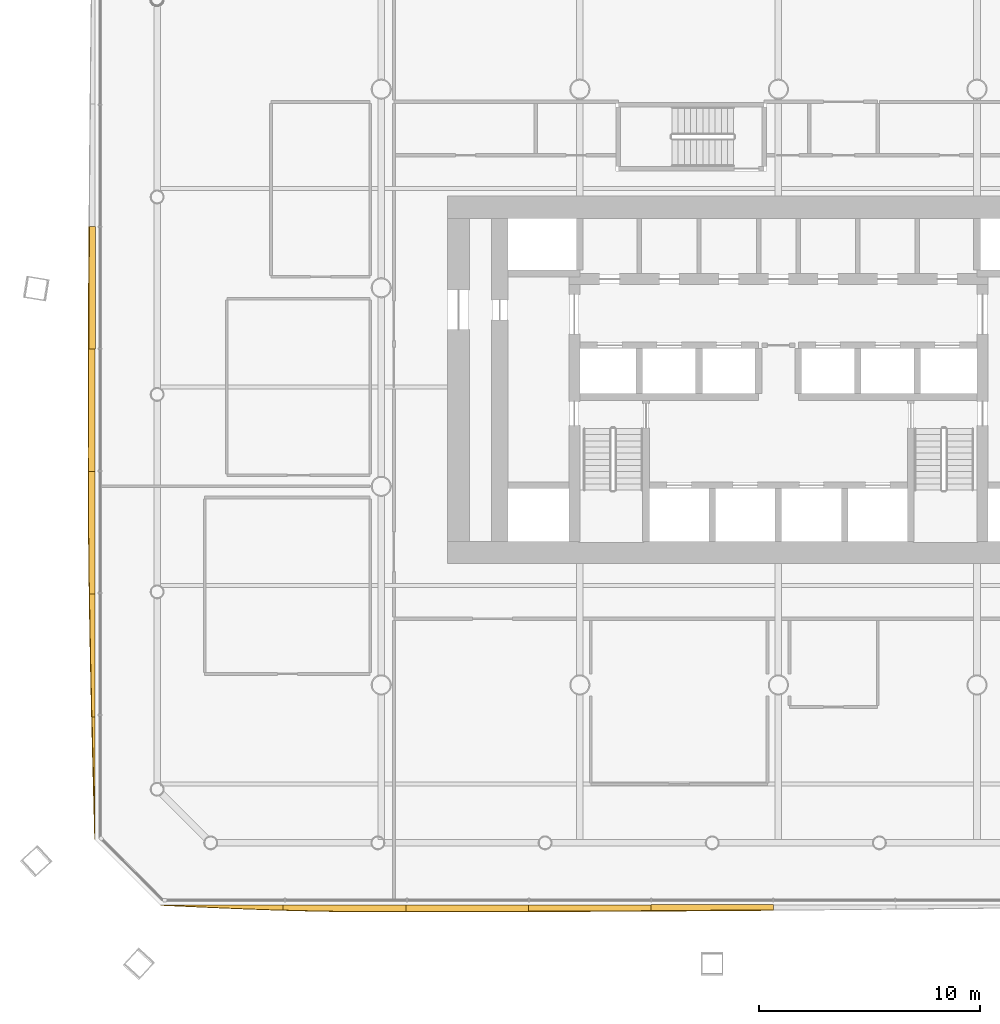
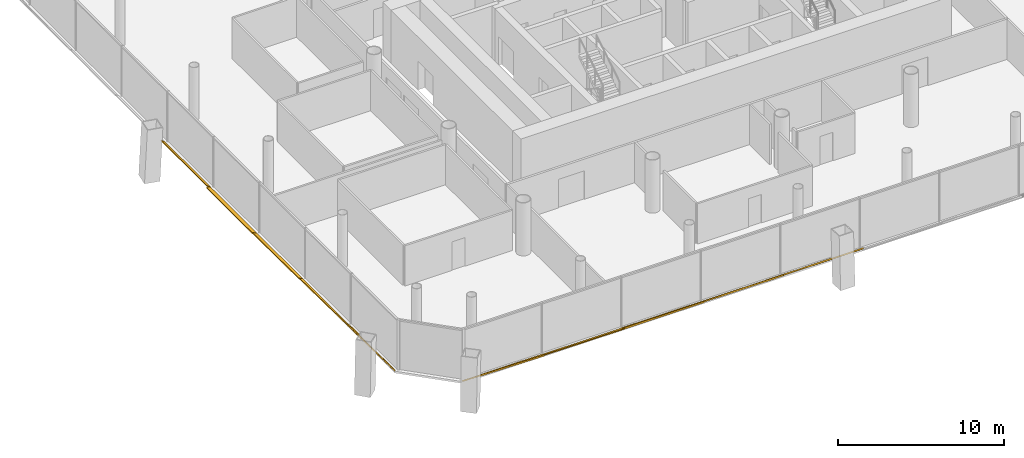
# One storey, part 19 of 23: 10 shading devices.
"""IFC4 building model written with IfcOpenShell, lengths in metres."""

import ifcopenshell
import ifcopenshell.guid

model = None  # the IFC model being written
_history = None  # IfcOwnerHistory: only IFC2X3 demands one
_inside = {}  # id of a spatial element -> (the spatial element, [elements in it])
_under = {}  # id of a project, library or spatial element -> (it, [spatial elements below it])
_declared = {}  # id of a project -> (the project, [libraries it declares])
_typed = {}  # id of a type object -> (the type object, [elements of that type])
_made_of = {}  # id of a material, layer set ... -> (it, [elements and type objects made of it])


def new_model(schema):
    """Start an empty IFC model of exactly this schema.

    Asked for "IFC4X3", IfcOpenShell would pick the latest addendum, in which some entities
    have other attributes; the version numbers below select the first issue.
    IFC2X3 requires an IfcOwnerHistory on every rooted entity: one is made here for all.
    """
    global model, _history
    if schema == "IFC4X3":
        model = ifcopenshell.file(schema_version=(4, 3, 0, 0))
    else:
        model = ifcopenshell.file(schema=schema)
    _inside.clear()
    _under.clear()
    _declared.clear()
    _typed.clear()
    _made_of.clear()
    _history = None
    if model.schema == "IFC2X3":
        org = make("IfcOrganization", Name="unknown")
        user = make(
            "IfcPersonAndOrganization",
            ThePerson=make("IfcPerson", FamilyName="unknown"),
            TheOrganization=org,
        )
        app = make(
            "IfcApplication",
            ApplicationDeveloper=org,
            Version="unknown",
            ApplicationFullName="unknown",
            ApplicationIdentifier="unknown",
        )
        _history = make(
            "IfcOwnerHistory",
            OwningUser=user,
            OwningApplication=app,
            ChangeAction="ADDED",
            CreationDate=0,
        )
    return model


def make(cls, **values):
    """One entity of the class cls with the attributes given. An attribute that is None is left unset."""
    return model.create_entity(
        cls, **{name: value for name, value in values.items() if value is not None}
    )


def rooted(cls, **values):
    """An entity with a GlobalId (a new one), such as an element, a storey or a relation."""
    return make(cls, GlobalId=ifcopenshell.guid.new(), OwnerHistory=_history, **values)


def si_unit(unit_type, name, prefix=None):
    """IfcSIUnit, for example si_unit("LENGTHUNIT", "METRE", prefix="MILLI")."""
    return make("IfcSIUnit", UnitType=unit_type, Prefix=prefix, Name=name)


def assignment(units):
    """IfcUnitAssignment: the units of a project."""
    return None if units is None else make("IfcUnitAssignment", Units=units)


def point(xyz):
    """IfcCartesianPoint."""
    return None if xyz is None else make("IfcCartesianPoint", Coordinates=xyz)


def direction(xyz):
    """IfcDirection."""
    return None if xyz is None else make("IfcDirection", DirectionRatios=xyz)


def frame(location, z_axis=None, x_axis=None):
    """IfcAxis2Placement3D, a coordinate frame: its origin and axes. An axis left out is left unset."""
    return make(
        "IfcAxis2Placement3D",
        Location=point(location),
        Axis=direction(z_axis),
        RefDirection=direction(x_axis),
    )


def origin():
    """The frame at (0, 0, 0) with its axes left unset."""
    return frame((0.0, 0.0, 0.0))


def place(relative_to, where):
    """IfcLocalPlacement: puts the frame where relative to a parent placement (None: the world)."""
    return make(
        "IfcLocalPlacement", PlacementRelTo=relative_to, RelativePlacement=where
    )


def context(
    kind, dimensions, precision=None, world=None, true_north=None, identifier=None
):
    """IfcGeometricRepresentationContext, for example the 3D "Model" context."""
    return make(
        "IfcGeometricRepresentationContext",
        ContextIdentifier=identifier,
        ContextType=kind,
        CoordinateSpaceDimension=dimensions,
        Precision=precision,
        WorldCoordinateSystem=world,
        TrueNorth=true_north,
    )


def subcontext(parent, identifier, kind, view, scale=None):
    """IfcGeometricRepresentationSubContext, for example "Body" below "Model"."""
    return make(
        "IfcGeometricRepresentationSubContext",
        ContextIdentifier=identifier,
        ContextType=kind,
        ParentContext=parent,
        TargetScale=scale,
        TargetView=view,
    )


def project(units=None, contexts=None):
    """IfcProject with its units and contexts."""
    return rooted(
        "IfcProject",
        Name="project",
        RepresentationContexts=contexts,
        UnitsInContext=assignment(units),
    )


def spatial(cls, under=None, at=None, **own):
    """A site, building, storey or space (cls), placed at a placement, below another one or the project."""
    s = rooted(cls, ObjectPlacement=at, **own)
    if under is not None:
        _under.setdefault(under.id(), (under, []))[1].append(s)
    return s


def polyline(points):
    """IfcPolyline through the points."""
    return make("IfcPolyline", Points=[point(p) for p in points])


def outline(outer, holes=None, kind="AREA"):
    """IfcArbitraryClosedProfileDef: a profile drawn as a closed curve; with holes, ...WithVoids."""
    if holes is None:
        return make("IfcArbitraryClosedProfileDef", ProfileType=kind, OuterCurve=outer)
    return make(
        "IfcArbitraryProfileDefWithVoids",
        ProfileType=kind,
        OuterCurve=outer,
        InnerCurves=holes,
    )


def extrude(swept, where, along, depth):
    """IfcExtrudedAreaSolid: the profile swept, set in the frame where, extruded along a direction by depth."""
    return make(
        "IfcExtrudedAreaSolid",
        SweptArea=swept,
        Position=where,
        ExtrudedDirection=direction(along),
        Depth=depth,
    )


def shape(context_of_items, identifier, shape_type, items):
    """IfcShapeRepresentation: the items that make up one representation, for example the "Body"."""
    return make(
        "IfcShapeRepresentation",
        ContextOfItems=context_of_items,
        RepresentationIdentifier=identifier,
        RepresentationType=shape_type,
        Items=items,
    )


def material(Name=None, Category=None):
    """IfcMaterial."""
    return make("IfcMaterial", Name=Name, Category=Category)


def layer(
    of_material, thickness, ventilated=None, Name=None, Category=None, Priority=None
):
    """IfcMaterialLayer: one layer of a wall or slab, of a material (None: an air gap)."""
    return make(
        "IfcMaterialLayer",
        Material=of_material,
        LayerThickness=thickness,
        IsVentilated=ventilated,
        Name=Name,
        Category=Category,
        Priority=Priority,
    )


def layer_set(layers, Name=None):
    """IfcMaterialLayerSet."""
    return make("IfcMaterialLayerSet", MaterialLayers=layers, LayerSetName=Name)


def made_of(thing, what):
    """Note that an element or type object is made of a material, layer set ...; save() writes the relation."""
    if what is not None:
        _made_of.setdefault(what.id(), (what, []))[1].append(thing)
    return thing


def type_object(cls, material=None, **own):
    """A type object (cls), such as IfcWallType, which elements share."""
    return made_of(rooted(cls, **own), material)


def element(
    cls,
    number,
    at=None,
    inside=None,
    cuts=None,
    type_object=None,
    material=None,
    context=None,
    identifier="Body",
    shape_type=None,
    held_by="IfcProductDefinitionShape",
    body=None,
    shapes=None,
    **own,
):
    """One element of the class cls, such as IfcWall. Its Tag is "e" and its number.

    at: its placement. inside: the storey or other place that contains it. cuts: it is an
    opening in that element (IfcRelVoidsElement). A single representation is given by context,
    identifier, shape_type and body (its items); several are given by shapes. held_by: the class
    of the entity that holds the representations. save() writes the other relations.
    """
    e = rooted(cls, Tag="e%d" % number, ObjectPlacement=at, **own)
    if body is not None:
        shapes = [shape(context, identifier, shape_type, body)]
    if shapes is not None:
        e.Representation = make(held_by, Representations=shapes)
    if inside is not None:
        _inside.setdefault(inside.id(), (inside, []))[1].append(e)
    if cuts is not None:
        rooted(
            "IfcRelVoidsElement", RelatingBuildingElement=cuts, RelatedOpeningElement=e
        )
    if type_object is not None:
        _typed.setdefault(type_object.id(), (type_object, []))[1].append(e)
    return made_of(e, material)


def aggregate(whole, parts):
    """IfcRelAggregates: a whole, such as a stair, and the parts it consists of."""
    return rooted("IfcRelAggregates", RelatingObject=whole, RelatedObjects=parts)


def save(model, path):
    """Write the relations noted so far, then the file.

    IfcRelAggregates (storeys below a building ...), IfcRelContainedInSpatialStructure (elements
    in a storey), IfcRelDefinesByType, IfcRelAssociatesMaterial and IfcRelDeclares: one each for
    every whole, place, type object, material and project.
    """
    for whole, parts in _under.values():
        aggregate(whole, parts)
    for where, things in _inside.values():
        rooted(
            "IfcRelContainedInSpatialStructure",
            RelatedElements=things,
            RelatingStructure=where,
        )
    for kind, things in _typed.values():
        rooted("IfcRelDefinesByType", RelatedObjects=things, RelatingType=kind)
    for what, things in _made_of.values():
        rooted("IfcRelAssociatesMaterial", RelatedObjects=things, RelatingMaterial=what)
    for by, libraries in _declared.values():
        rooted("IfcRelDeclares", RelatingContext=by, RelatedDefinitions=libraries)
    model.write(path)


model = new_model("IFC4")

# Units and contexts
model_context = context("Model", 3, precision=1e-05, world=origin(), true_north=direction((0.0, 1.0)))
body_context = subcontext(model_context, "Body", "Model", "MODEL_VIEW")
ifc_project = project(units=[si_unit("LENGTHUNIT", "METRE"), si_unit("AREAUNIT", "SQUARE_METRE"), si_unit("VOLUMEUNIT", "CUBIC_METRE"), si_unit("PLANEANGLEUNIT", "RADIAN"), si_unit("MASSUNIT", "GRAM", prefix="KILO")], contexts=[model_context])

# Site, building, storey
site_placement = place(None, origin())
site = spatial("IfcSite", under=ifc_project, at=site_placement, CompositionType="ELEMENT")
building_placement = place(site_placement, origin())
building = spatial("IfcBuilding", under=site, at=building_placement, Name="Tskaro Facet Tower", CompositionType="ELEMENT")
storey_placement = place(building_placement, frame((0.0, 0.0, 14.699951171875)))
storey = spatial("IfcBuildingStorey", under=building, at=storey_placement, Name="L02", CompositionType="ELEMENT", Elevation=14.699951171875)

# Shading devices
ifc_material = material(Name="Bronze anodised aluminium 6063-T6", Category="aluminium")
ifc_layer = layer(ifc_material, 0.06005859375, Name="Bronze anodised aluminium 6063-T6")
ifc_layer_set = layer_set([ifc_layer], Name="Bronze anodised aluminium 6063-T6")
shading_device_type = type_object("IfcShadingDeviceType", Name="Bronze sun blade (FN1)", PredefinedType="USERDEFINED", material=ifc_layer_set)
shading_device_1_placement = place(storey_placement, frame((-28.0, -27.9794921875, 0.056396484375), z_axis=(-1.3477975e-05, 0.34212782945, 0.939653419157), x_axis=(0.999999999909, 4.61119e-06, 1.2664625e-05)))
element("IfcShadingDevice", 1, at=shading_device_1_placement, inside=storey, type_object=shading_device_type, Name="Fin blade south 1", ObjectType="FIN", PredefinedType="USERDEFINED", context=body_context, shape_type="SweptSolid", body=[
    extrude(outline(polyline([(0.0, 0.0), (5.55566406199539, 4.7058305048141744e-21), (5.555664063176145, -0.24452239087388308), (4.861083982433827, -0.22080637345360823), (4.166748045424206, -0.1943162908233448), (3.4721679686457696, -0.16551095812920738), (2.7778320310969136, -0.1348491905173106), (2.0832519534938543, -0.10264392286283112), (1.3889160159607676, -0.0691245627388263), (0.6943359380880908, -0.03483345259353017), (0.0, 0.0)])), origin(), (0.0, 0.0, -1.0), 0.06005859375),
])
shading_device_2_placement = place(storey_placement, frame((-22.4443359375, -27.974609375, 0.054443359375), z_axis=(1.3853793e-05, 0.42240758335, 0.906405998069), x_axis=(0.999999999904, -5.851947e-06, -1.2557162e-05)))
element("IfcShadingDevice", 2, at=shading_device_2_placement, inside=storey, type_object=shading_device_type, Name="Fin blade south 2", ObjectType="FIN", PredefinedType="USERDEFINED", context=body_context, shape_type="SweptSolid", body=[
    extrude(outline(polyline([(0.0, 0.0), (5.555419921341881, 0.0), (5.555419922195166, -0.33073332603408856), (4.861083983124782, -0.33105774341239597), (4.444335936289775, -0.33105774341239597), (4.1665039067034515, -0.33073332603408856), (3.472167969091287, -0.32723778807598836), (2.777587890883667, -0.3197010042545869), (2.083251951693529, -0.30844739194819165), (1.3886718747653333, -0.29359511483228246), (0.6943359382833177, -0.2752472997582731), (-1.443206826892755e-09, -0.2535070735775773), (0.0, 0.0)])), origin(), (0.0, 0.0, -1.0), 0.06005859375),
])
shading_device_3_placement = place(storey_placement, frame((-16.888916015625, -27.969970703125, 0.052001953125), z_axis=(6.3264e-06, 0.499942781125, 0.866058436574), x_axis=(0.99999999998, -3.162838e-06, -5.479032e-06)))
element("IfcShadingDevice", 3, at=shading_device_3_placement, inside=storey, type_object=shading_device_type, Name="Fin blade south 3", ObjectType="FIN", PredefinedType="USERDEFINED", context=body_context, shape_type="SweptSolid", body=[
    extrude(outline(polyline([(0.0, 0.0), (5.555664062388822, 0.0), (5.555664062670007, -0.3345879319607841), (4.8610839840480535, -0.3368897340600043), (4.166748047388748, -0.3390694798161738), (3.4721679685600946, -0.3408263454763515), (2.77783203169409, -0.3424611547934787), (2.0832519526587356, -0.34367308401461405), (1.3889160155860312, -0.3447629568926988), (0.6945800777411489, -0.3456413897227877), (-1.63251251356296e-10, -0.34618632616183004), (0.0, 0.0)])), origin(), (0.0, 0.0, -1.0), 0.06005859375),
])
shading_device_4_placement = place(storey_placement, frame((-11.333251953125, -27.965576171875, 0.04931640625), z_axis=(2.788082e-06, 0.573314984209, 0.819335052877), x_axis=(0.999999999996, -1.598449e-06, -2.284373e-06)))
element("IfcShadingDevice", 4, at=shading_device_4_placement, inside=storey, type_object=shading_device_type, Name="Fin blade south 4", ObjectType="FIN", PredefinedType="USERDEFINED", context=body_context, shape_type="SweptSolid", body=[
    extrude(outline(polyline([(0.0, 0.0), (5.5554199218534075, -1.176405927415259e-21), (5.555419921690511, -0.32483265151197194), (4.861083984469823, -0.3292328408760641), (4.1665039062338876, -0.3334329972682616), (3.4721679686229536, -0.33763315366045904), (2.777587890721943, -0.34115330515173276), (2.0832519528882227, -0.34481342612157373), (1.3889160157796738, -0.34799357516238555), (0.6943359376558789, -0.35097369123130273), (-2.3316336454501597e-10, -0.3537537743283252), (0.0, 0.0)])), origin(), (0.0, 0.0, -1.0), 0.06005859375),
])
shading_device_5_placement = place(storey_placement, frame((-5.77783203125, -27.96142578125, 0.0458984375), z_axis=(-1.534797e-06, 0.642982886724, 0.765880543804), x_axis=(0.999999999999, 9.86848e-07, 1.175471e-06)))
element("IfcShadingDevice", 5, at=shading_device_5_placement, inside=storey, type_object=shading_device_type, Name="Fin blade south 5", ObjectType="FIN", PredefinedType="USERDEFINED", context=body_context, shape_type="SweptSolid", body=[
    extrude(outline(polyline([(0.0, 0.0), (5.555664062493456, 0.0), (5.555664062492981, -0.2999633965412835), (4.861083984233991, -0.3069026211322885), (4.166748046794878, -0.31331090237018444), (3.4721679687307656, -0.31971918360808027), (2.7778320312456026, -0.325783504047507), (2.083496093714389, -0.3315038636884645), (1.3889160157991056, -0.33703724077478214), (0.6945800782218416, -0.34241363961727045), (-2.6472611305207934e-11, -0.34744607766128965), (0.0, 0.0)])), origin(), (0.0, 0.0, -1.0), 0.06005859375),
])
shading_device_6_placement = place(storey_placement, frame((-30.96142578125, 2.77783203125, 0.0458984375), z_axis=(0.64297938628, -3.58472e-06, 0.765883482526), x_axis=(-2.304901e-06, -0.999999999994, -2.745478e-06)))
element("IfcShadingDevice", 6, at=shading_device_6_placement, inside=storey, type_object=shading_device_type, Name="Fin blade west 5", ObjectType="FIN", PredefinedType="USERDEFINED", context=body_context, shape_type="SweptSolid", body=[
    extrude(outline(polyline([(0.0, 0.0), (5.555664062464304, 1.1764576262035436e-21), (5.55566406240604, -0.38158125288209394), (4.861083984690847, -0.37829862365800554), (4.166748047037933, -0.3748290111618148), (3.472167968975145, -0.37067147734296046), (2.7778320309746354, -0.3663269602520038), (2.0834960937519718, -0.36148150511048593), (1.3889160154491518, -0.35610510603553386), (0.6945800778788934, -0.3503847462992501), (-2.0880075291643098e-10, -0.3443204259016345), (0.0, 0.0)])), origin(), (0.0, 0.0, -1.0), 0.06005859375),
])
shading_device_7_placement = place(storey_placement, frame((-30.9794921875, -2.77783203125, 0.056396484375), z_axis=(0.342111137117, -4.063391e-06, 0.939659496756), x_axis=(-1.390131e-06, -0.999999999992, -3.818204e-06)))
element("IfcShadingDevice", 7, at=shading_device_7_placement, inside=storey, type_object=shading_device_type, Name="Fin blade west 6", ObjectType="FIN", PredefinedType="USERDEFINED", context=body_context, shape_type="SweptSolid", body=[
    extrude(outline(polyline([(0.0, 0.0), (5.555419921829137, 0.0), (5.55541992182716, -0.31827745378203515), (4.861083984758264, -0.3192786132361796), (4.722167969134411, -0.3192786132361796), (4.16650390629961, -0.31904920417935245), (3.4721679684659548, -0.3188197951225253), (2.7778320314784946, -0.31773511244154506), (2.083251952933857, -0.31673395298740065), (1.3889160152676217, -0.31519045219276604), (0.6943359375691791, -0.31333401911446856), (-1.8304055834109862e-10, -0.31101876792251676), (0.0, 0.0)])), origin(), (0.0, 0.0, -1.0), 0.06005859375),
])
shading_device_8_placement = place(storey_placement, frame((-30.974609375, -8.333251953125, 0.054443359375), z_axis=(0.422589464378, 1.0263643e-05, 0.906321214852), x_axis=(4.337308e-06, -0.999999999947, 9.302158e-06)))
element("IfcShadingDevice", 8, at=shading_device_8_placement, inside=storey, type_object=shading_device_type, Name="Fin blade west 7", ObjectType="FIN", PredefinedType="USERDEFINED", context=body_context, shape_type="SweptSolid", body=[
    extrude(outline(polyline([(0.0, 0.0), (5.555664062207376, 0.0), (5.555664061776827, -0.2779758364632266), (4.86108398448155, -0.28878688344066966), (4.166748046292721, -0.2981820675109592), (3.4724121100685097, -0.3065890010138657), (2.7778320306418585, -0.3138013414374753), (2.0834960925926906, -0.3197009902098883), (1.3889160158831526, -0.32461238841491835), (0.6945800793389761, -0.3278866538849383), (-1.4665524740848818e-09, -0.3301875961035179), (0.0, 0.0)])), origin(), (0.0, 0.0, -1.0), 0.06005859375),
])
shading_device_9_placement = place(storey_placement, frame((-30.969970703125, -13.888916015625, 0.052001953125), z_axis=(0.500032215894, -1.0470895e-05, 0.866006803067), x_axis=(-5.235785e-06, -0.999999999945, -9.067866e-06)))
element("IfcShadingDevice", 9, at=shading_device_9_placement, inside=storey, type_object=shading_device_type, Name="Fin blade west 8", ObjectType="FIN", PredefinedType="USERDEFINED", context=body_context, shape_type="SweptSolid", body=[
    extrude(outline(polyline([(0.0, 0.0), (5.5554199215704525, 4.705623709661036e-21), (5.555419922701995, -0.16570383823943546), (4.86108398548002, -0.18429702017561111), (4.166748046637076, -0.20213384160757158), (3.472167969040278, -0.2193036517997685), (2.777832030447498, -0.2357171014877502), (2.083251952758164, -0.2509186068739198), (1.3889160140728476, -0.26536375175587423), (0.6943359375692454, -0.2788083797781833), (-2.7304041802564016e-10, -0.29095171423422866), (0.0, 0.0)])), origin(), (0.0, 0.0, -1.0), 0.06005859375),
])
shading_device_10_placement = place(storey_placement, frame((-30.965576171875, -19.4443359375, 0.04931640625), z_axis=(0.572659704193, -9.726639e-06, 0.819793183126), x_axis=(-5.570054e-06, -0.999999999953, -7.973832e-06)))
element("IfcShadingDevice", 10, at=shading_device_10_placement, inside=storey, type_object=shading_device_type, Name="Fin blade west 9", ObjectType="FIN", PredefinedType="USERDEFINED", context=body_context, shape_type="SweptSolid", body=[
    extrude(outline(polyline([(0.0, 0.0), (5.555664062237196, -4.7058305048141744e-21), (4.861328126303503, -0.022821054547683472), (4.166748046438208, -0.045581773773359015), (3.4724121097314984, -0.06786272918272494), (2.7778320304530633, -0.09028349409019143), (2.083496094333213, -0.1122244951813483), (1.3889160148686213, -0.13376520663228822), (0.6945800772027381, -0.15462600944681001), (-5.012738241412433e-10, -0.17514685794312274), (0.0, 0.0)])), origin(), (0.0, 0.0, -1.0), 0.06005859375),
])

save(model, "model.ifc")
